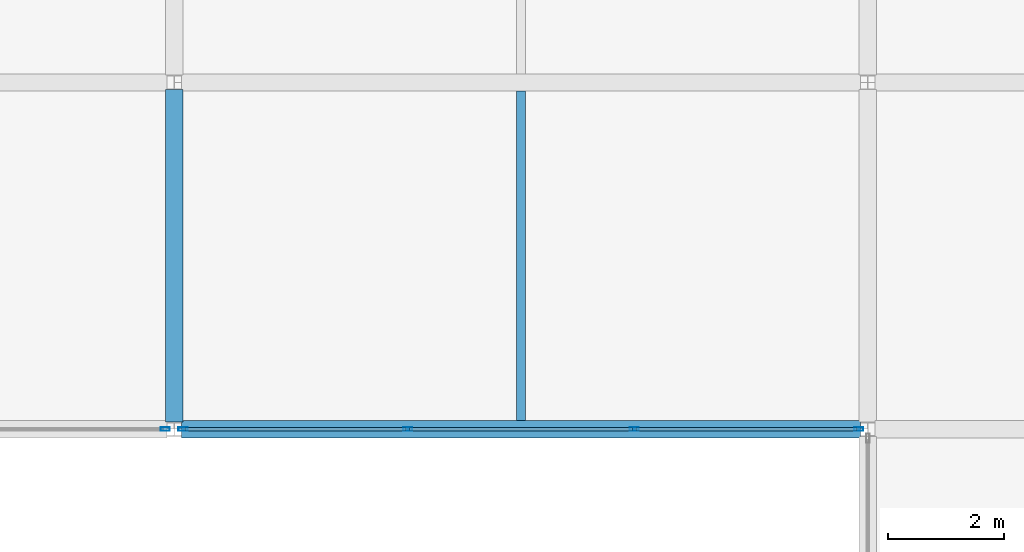
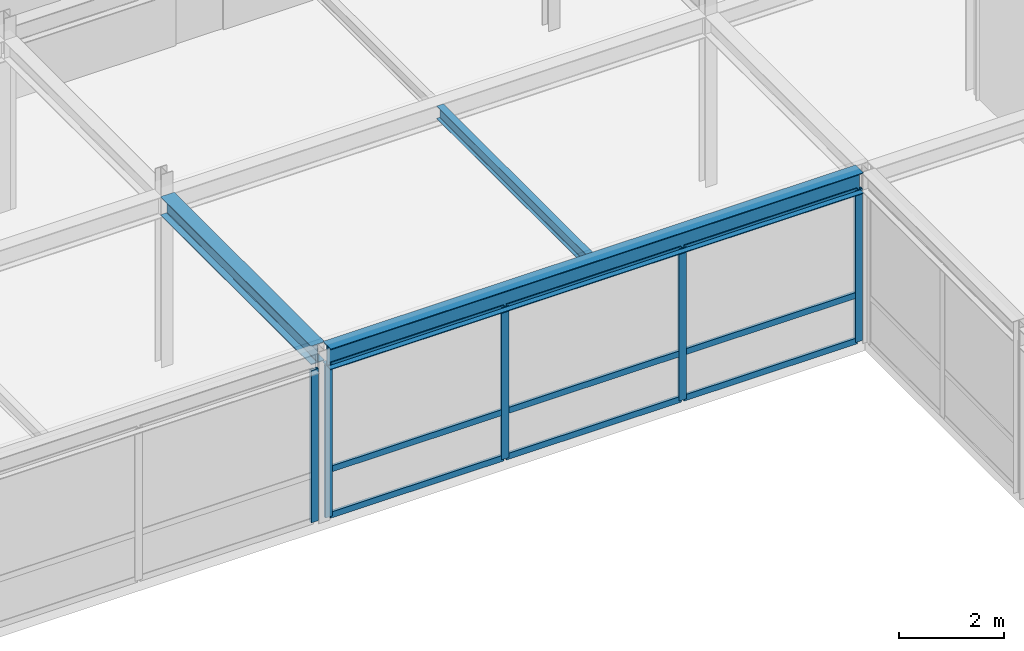
# One storey, part 74 of 111: 14 members, 3 beams, 2 elements without a shape of their own.
"""IFC4 building model written with IfcOpenShell, lengths in metres."""

from ifc_helpers import new_model, si_unit, direction, frame, origin, origin_2d, place, context, subcontext, project, spatial, hollow_rectangle, i_section, extrude, material, layer, layer_set, material_profile, profile_set, type_object, element, aggregate, save


model = new_model("IFC4")

# Units and contexts
model_context = context("Model", 3, precision=1e-05, world=origin(), true_north=direction((0.0, 1.0)))
body_context = subcontext(model_context, "Body", "Model", "MODEL_VIEW")
ifc_project = project(units=[si_unit("LENGTHUNIT", "METRE"), si_unit("AREAUNIT", "SQUARE_METRE"), si_unit("VOLUMEUNIT", "CUBIC_METRE"), si_unit("PLANEANGLEUNIT", "RADIAN"), si_unit("MASSUNIT", "GRAM", prefix="KILO")], contexts=[model_context])

# Site, building, storey
site_placement = place(None, origin())
site = spatial("IfcSite", under=ifc_project, at=site_placement, CompositionType="ELEMENT")
building_placement = place(site_placement, origin())
building = spatial("IfcBuilding", under=site, at=building_placement, Name="Zlatovratsky Civic Hall", CompositionType="ELEMENT")
storey_placement = place(building_placement, frame((0.0, 0.0, 16.5)))
storey = spatial("IfcBuildingStorey", under=building, at=storey_placement, Name="L04", CompositionType="ELEMENT", Elevation=16.5)

# Beams
ifc_material_1 = material(Name="Steel S355", Category="steel")
ifc_material_profile_1 = material_profile(ifc_material_1, i_section(OverallWidth=0.300048828125, OverallDepth=0.487060546875, WebThickness=0.014404296875, FlangeThickness=0.017578125, FilletRadius=0.02392578125, at=origin_2d()), Name="50Sh2")
ifc_profile_set_1 = profile_set([ifc_material_profile_1], Name="Steel S355")
beam_type_1 = type_object("IfcBeamType", Name="Beam_ArchiveGirder_50Sh2", PredefinedType="BEAM", material=ifc_profile_set_1)
beam_1_placement = place(storey_placement, frame((36.125, 66.0, 3.756591796875), z_axis=(1.0, 0.0, 0.0), x_axis=(0.0, 1.0, 0.0)))
element("IfcBeam", 1, at=beam_1_placement, inside=storey, type_object=beam_type_1, Name="BM-3334", PredefinedType="BEAM", context=body_context, shape_type="SweptSolid", body=[
    extrude(i_section(OverallWidth=0.300048828125, OverallDepth=0.487060546875, WebThickness=0.014404296875, FlangeThickness=0.017578125, FilletRadius=0.02392578125, at=origin_2d()), origin(), (0.0, 0.0, 1.0), 11.75),
])
ifc_material_profile_2 = material_profile(ifc_material_1, i_section(OverallWidth=0.300048828125, OverallDepth=0.43994140625, WebThickness=0.010986328125, FlangeThickness=0.01806640625, FilletRadius=0.02197265625, at=origin_2d()), Name="45Sh1")
ifc_profile_set_2 = profile_set([ifc_material_profile_2], Name="Steel S355")
beam_type_2 = type_object("IfcBeamType", Name="Beam_TowerLow_45Sh1", PredefinedType="BEAM", material=ifc_profile_set_2)
beam_2_placement = place(storey_placement, frame((36.0, 66.125, 3.780029296875), z_axis=(0.0, 1.0, 0.0), x_axis=(-1.0, 0.0, 0.0)))
element("IfcBeam", 2, at=beam_2_placement, inside=storey, type_object=beam_type_2, Name="BM-3577", PredefinedType="BEAM", context=body_context, shape_type="SweptSolid", body=[
    extrude(i_section(OverallWidth=0.300048828125, OverallDepth=0.43994140625, WebThickness=0.010986328125, FlangeThickness=0.01806640625, FilletRadius=0.02197265625, at=origin_2d()), origin(), (0.0, 0.0, 1.0), 5.75),
])

# Curtain wall, member
ifc_material_2 = material(Name="Anodised bronze aluminium", Category="aluminium")
ifc_layer = layer(ifc_material_2, 0.159912109375)
ifc_layer_set = layer_set([ifc_layer], Name="Anodised bronze aluminium")
curtain_wall_type = type_object("IfcCurtainWallType", Name="CurtainWall_Bronze_11750x3550_17", PredefinedType="NOTDEFINED", material=ifc_layer_set)
curtain_wall_1_placement = place(storey_placement, origin())
curtain_wall_1 = element("IfcCurtainWall", 3, at=curtain_wall_1_placement, inside=storey, type_object=curtain_wall_type, Name="CW-097", PredefinedType="NOTDEFINED")
ifc_material_profile_3 = material_profile(ifc_material_2, hollow_rectangle(XDim=0.06005859375, YDim=0.159912109375, WallThickness=0.00390625, at=origin_2d()), Name="ALU 60x160x4")
ifc_profile_set_3 = profile_set([ifc_material_profile_3], Name="Anodised bronze aluminium")
member_type_1 = type_object("IfcMemberType", Name="CW_Mullion_60x160", PredefinedType="MULLION", material=ifc_profile_set_3)
member_1_placement = place(storey_placement, frame((35.844970703125, 66.0, 0.0), z_axis=(0.0, 0.0, 1.0), x_axis=(0.0, 1.0, 0.0)))
member_1 = element("IfcMember", 4, at=member_1_placement, type_object=member_type_1, Name="CW-17 mullion 4", PredefinedType="MULLION", context=body_context, shape_type="SweptSolid", body=[
    extrude(hollow_rectangle(XDim=0.06005859375, YDim=0.159912109375, WallThickness=0.00390625, at=origin_2d()), origin(), (0.0, 0.0, 1.0), 3.550048828125),
])
aggregate(curtain_wall_1, [member_1])

# Curtain wall, members
curtain_wall_2_placement = place(storey_placement, origin())
curtain_wall_2 = element("IfcCurtainWall", 5, at=curtain_wall_2_placement, inside=storey, type_object=curtain_wall_type, Name="CW-098", PredefinedType="NOTDEFINED")
member_2_placement = place(storey_placement, frame((36.155029296875, 66.0, 0.0), z_axis=(0.0, 0.0, 1.0), x_axis=(0.0, 1.0, 0.0)))
member_2 = element("IfcMember", 6, at=member_2_placement, type_object=member_type_1, Name="CW-17 mullion 1", PredefinedType="MULLION", context=body_context, shape_type="SweptSolid", body=[
    extrude(hollow_rectangle(XDim=0.06005859375, YDim=0.159912109375, WallThickness=0.00390625, at=origin_2d()), origin(), (0.0, 0.0, 1.0), 3.550048828125),
])
member_3_placement = place(storey_placement, frame((40.041748046875, 66.0, 0.0), z_axis=(0.0, 0.0, 1.0), x_axis=(0.0, 1.0, 0.0)))
member_3 = element("IfcMember", 7, at=member_3_placement, type_object=member_type_1, Name="CW-17 mullion 2", PredefinedType="MULLION", context=body_context, shape_type="SweptSolid", body=[
    extrude(hollow_rectangle(XDim=0.06005859375, YDim=0.159912109375, WallThickness=0.00390625, at=origin_2d()), origin(), (0.0, 0.0, 1.0), 3.550048828125),
])
member_4_placement = place(storey_placement, frame((43.958251953125, 66.0, 0.0), z_axis=(0.0, 0.0, 1.0), x_axis=(0.0, 1.0, 0.0)))
member_4 = element("IfcMember", 8, at=member_4_placement, type_object=member_type_1, Name="CW-17 mullion 3", PredefinedType="MULLION", context=body_context, shape_type="SweptSolid", body=[
    extrude(hollow_rectangle(XDim=0.06005859375, YDim=0.159912109375, WallThickness=0.00390625, at=origin_2d()), origin(), (0.0, 0.0, 1.0), 3.550048828125),
])
member_5_placement = place(storey_placement, frame((47.844970703125, 66.0, 0.0), z_axis=(0.0, 0.0, 1.0), x_axis=(0.0, 1.0, 0.0)))
member_5 = element("IfcMember", 9, at=member_5_placement, type_object=member_type_1, Name="CW-17 mullion 4", PredefinedType="MULLION", context=body_context, shape_type="SweptSolid", body=[
    extrude(hollow_rectangle(XDim=0.06005859375, YDim=0.159912109375, WallThickness=0.00390625, at=origin_2d()), origin(), (0.0, 0.0, 1.0), 3.550048828125),
])
ifc_material_profile_4 = material_profile(ifc_material_2, hollow_rectangle(XDim=0.06005859375, YDim=0.139892578125, WallThickness=0.00390625, at=origin_2d()), Name="ALU 60x140x4")
ifc_profile_set_4 = profile_set([ifc_material_profile_4], Name="Anodised bronze aluminium")
member_type_2 = type_object("IfcMemberType", Name="CW_Transom_60x140", PredefinedType="USERDEFINED", material=ifc_profile_set_4)
member_6_placement = place(storey_placement, frame((36.18505859375, 66.0, 0.030029296875), z_axis=(1.0, 0.0, 0.0), x_axis=(0.0, 1.0, 0.0)))
member_6 = element("IfcMember", 10, at=member_6_placement, type_object=member_type_2, Name="CW-17 transom 1.1", ObjectType="TRANSOM", PredefinedType="USERDEFINED", context=body_context, shape_type="SweptSolid", body=[
    extrude(hollow_rectangle(XDim=0.06005859375, YDim=0.139892578125, WallThickness=0.00390625, at=origin_2d()), origin(), (0.0, 0.0, 1.0), 3.82666015625),
])
member_7_placement = place(storey_placement, frame((36.18505859375, 66.0, 1.10009765625), z_axis=(1.0, 0.0, 0.0), x_axis=(0.0, 1.0, 0.0)))
member_7 = element("IfcMember", 11, at=member_7_placement, type_object=member_type_2, Name="CW-17 transom 1.2", ObjectType="TRANSOM", PredefinedType="USERDEFINED", context=body_context, shape_type="SweptSolid", body=[
    extrude(hollow_rectangle(XDim=0.06005859375, YDim=0.139892578125, WallThickness=0.00390625, at=origin_2d()), origin(), (0.0, 0.0, 1.0), 3.82666015625),
])
member_8_placement = place(storey_placement, frame((36.18505859375, 66.0, 3.52001953125), z_axis=(1.0, 0.0, 0.0), x_axis=(0.0, 1.0, 0.0)))
member_8 = element("IfcMember", 12, at=member_8_placement, type_object=member_type_2, Name="CW-17 transom 1.3", ObjectType="TRANSOM", PredefinedType="USERDEFINED", context=body_context, shape_type="SweptSolid", body=[
    extrude(hollow_rectangle(XDim=0.06005859375, YDim=0.139892578125, WallThickness=0.00390625, at=origin_2d()), origin(), (0.0, 0.0, 1.0), 3.82666015625),
])
member_9_placement = place(storey_placement, frame((40.07177734375, 66.0, 0.030029296875), z_axis=(1.0, 0.0, 0.0), x_axis=(0.0, 1.0, 0.0)))
member_9 = element("IfcMember", 13, at=member_9_placement, type_object=member_type_2, Name="CW-17 transom 2.1", ObjectType="TRANSOM", PredefinedType="USERDEFINED", context=body_context, shape_type="SweptSolid", body=[
    extrude(hollow_rectangle(XDim=0.06005859375, YDim=0.139892578125, WallThickness=0.00390625, at=origin_2d()), origin(), (0.0, 0.0, 1.0), 3.8564453125),
])
member_10_placement = place(storey_placement, frame((40.07177734375, 66.0, 1.10009765625), z_axis=(1.0, 0.0, 0.0), x_axis=(0.0, 1.0, 0.0)))
member_10 = element("IfcMember", 14, at=member_10_placement, type_object=member_type_2, Name="CW-17 transom 2.2", ObjectType="TRANSOM", PredefinedType="USERDEFINED", context=body_context, shape_type="SweptSolid", body=[
    extrude(hollow_rectangle(XDim=0.06005859375, YDim=0.139892578125, WallThickness=0.00390625, at=origin_2d()), origin(), (0.0, 0.0, 1.0), 3.8564453125),
])
member_11_placement = place(storey_placement, frame((40.07177734375, 66.0, 3.52001953125), z_axis=(1.0, 0.0, 0.0), x_axis=(0.0, 1.0, 0.0)))
member_11 = element("IfcMember", 15, at=member_11_placement, type_object=member_type_2, Name="CW-17 transom 2.3", ObjectType="TRANSOM", PredefinedType="USERDEFINED", context=body_context, shape_type="SweptSolid", body=[
    extrude(hollow_rectangle(XDim=0.06005859375, YDim=0.139892578125, WallThickness=0.00390625, at=origin_2d()), origin(), (0.0, 0.0, 1.0), 3.8564453125),
])
member_12_placement = place(storey_placement, frame((43.98828125, 66.0, 0.030029296875), z_axis=(1.0, 0.0, 0.0), x_axis=(0.0, 1.0, 0.0)))
member_12 = element("IfcMember", 16, at=member_12_placement, type_object=member_type_2, Name="CW-17 transom 3.1", ObjectType="TRANSOM", PredefinedType="USERDEFINED", context=body_context, shape_type="SweptSolid", body=[
    extrude(hollow_rectangle(XDim=0.06005859375, YDim=0.139892578125, WallThickness=0.00390625, at=origin_2d()), origin(), (0.0, 0.0, 1.0), 3.82666015625),
])
member_13_placement = place(storey_placement, frame((43.98828125, 66.0, 1.10009765625), z_axis=(1.0, 0.0, 0.0), x_axis=(0.0, 1.0, 0.0)))
member_13 = element("IfcMember", 17, at=member_13_placement, type_object=member_type_2, Name="CW-17 transom 3.2", ObjectType="TRANSOM", PredefinedType="USERDEFINED", context=body_context, shape_type="SweptSolid", body=[
    extrude(hollow_rectangle(XDim=0.06005859375, YDim=0.139892578125, WallThickness=0.00390625, at=origin_2d()), origin(), (0.0, 0.0, 1.0), 3.82666015625),
])
member_14_placement = place(storey_placement, frame((43.98828125, 66.0, 3.52001953125), z_axis=(1.0, 0.0, 0.0), x_axis=(0.0, 1.0, 0.0)))
member_14 = element("IfcMember", 18, at=member_14_placement, type_object=member_type_2, Name="CW-17 transom 3.3", ObjectType="TRANSOM", PredefinedType="USERDEFINED", context=body_context, shape_type="SweptSolid", body=[
    extrude(hollow_rectangle(XDim=0.06005859375, YDim=0.139892578125, WallThickness=0.00390625, at=origin_2d()), origin(), (0.0, 0.0, 1.0), 3.82666015625),
])
aggregate(curtain_wall_2, [member_2, member_3, member_4, member_5, member_6, member_7, member_8, member_9, member_10, member_11, member_12, member_13, member_14])

# Beam
ifc_material_profile_5 = material_profile(ifc_material_1, i_section(OverallWidth=0.14892578125, OverallDepth=0.2958984375, WebThickness=0.005615234375, FlangeThickness=0.008056640625, FilletRadius=0.012939453125, at=origin_2d()), Name="30B1")
ifc_profile_set_5 = profile_set([ifc_material_profile_5], Name="Steel S355")
beam_type_3 = type_object("IfcBeamType", Name="Joist_Tower_30B1", PredefinedType="JOIST", material=ifc_profile_set_5)
beam_3_placement = place(storey_placement, frame((42.0, 66.14990234375, 3.85205078125), z_axis=(0.0, 1.0, 0.0), x_axis=(-1.0, 0.0, 0.0)))
element("IfcBeam", 19, at=beam_3_placement, inside=storey, type_object=beam_type_3, Name="BM-3861", PredefinedType="JOIST", context=body_context, shape_type="SweptSolid", body=[
    extrude(i_section(OverallWidth=0.14892578125, OverallDepth=0.2958984375, WebThickness=0.005615234375, FlangeThickness=0.008056640625, FilletRadius=0.012939453125, at=origin_2d()), origin(), (0.0, 0.0, 1.0), 5.7001953125),
])

save(model, "model.ifc")
